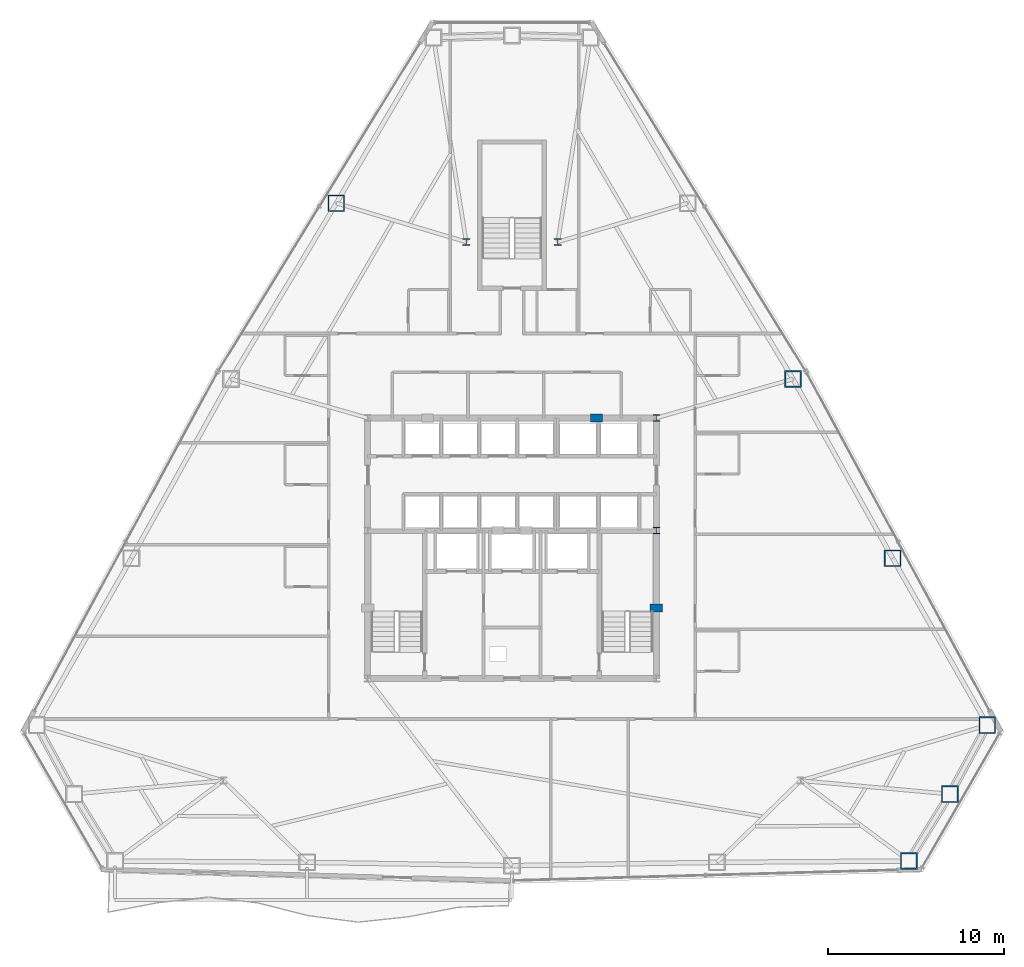
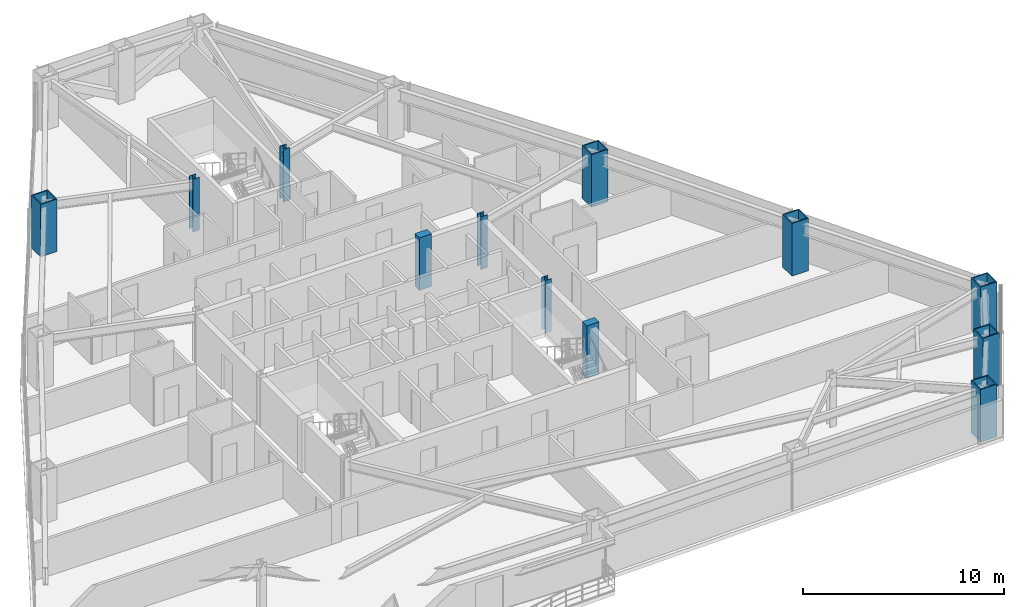
# One storey, part 2 of 13: 12 columns.
"""IFC4 building model written with IfcOpenShell, lengths in metres."""

from ifc_helpers import new_model, si_unit, direction, frame, origin, origin_2d, place, context, subcontext, project, spatial, rectangle, hollow_rectangle, i_section, extrude, material, material_profile, profile_set, type_object, element, save


model = new_model("IFC4")

# Units and contexts
model_context = context("Model", 3, precision=1e-05, world=origin(), true_north=direction((0.0, 1.0)))
body_context = subcontext(model_context, "Body", "Model", "MODEL_VIEW")
ifc_project = project(units=[si_unit("LENGTHUNIT", "METRE"), si_unit("AREAUNIT", "SQUARE_METRE"), si_unit("VOLUMEUNIT", "CUBIC_METRE"), si_unit("PLANEANGLEUNIT", "RADIAN"), si_unit("MASSUNIT", "GRAM", prefix="KILO")], contexts=[model_context])

# Site, building, storey
site_placement = place(None, origin())
site = spatial("IfcSite", under=ifc_project, at=site_placement, CompositionType="ELEMENT")
building_placement = place(site_placement, origin())
building = spatial("IfcBuilding", under=site, at=building_placement, Name="Varakhsha Concourse Tower", CompositionType="ELEMENT")
storey_placement = place(building_placement, frame((0.0, 0.0, 102.199951171875)))
storey = spatial("IfcBuildingStorey", under=building, at=storey_placement, Name="L29", CompositionType="ELEMENT", Elevation=102.199951171875)

# Columns
ifc_material_1 = material(Name="Structural Steel ASTM A992 Grade 50", Category="steel")
ifc_material_profile_1 = material_profile(ifc_material_1, i_section(OverallWidth=0.3740234375, OverallDepth=0.3720703125, WebThickness=0.01611328125, FlangeThickness=0.02587890625, at=origin_2d()), Name="W14X132")
ifc_profile_set_1 = profile_set([ifc_material_profile_1], Name="Structural Steel ASTM A992 Grade 50")
column_type_1 = type_object("IfcColumnType", Name="CL-CORE-W14X132", PredefinedType="COLUMN", material=ifc_profile_set_1)
for number, where, z_axis, x_axis, name in (
    (1, (48.199951171875, 24.800048828125, 0.0), (0.0, 0.0, 1.0), (1.0, 0.0, 0.0), "L29 Core Column CC-ME"),
    (2, (48.199951171875, 31.199951171875, 0.0), (0.0, 0.0, 1.0), (1.0, 0.0, 0.0), "L29 Core Column CC-NE"),
    (3, (37.39990234375, 41.199951171875, 0.0), (0.0, 0.0, 1.0), (1.0, 0.0, 0.0), "L29 Core Column NS-W"),
    (4, (42.60009765625, 41.199951171875, 0.0), (0.0, 0.0, 1.0), (1.0, 0.0, 0.0), "L29 Core Column NS-E"),
):
    element("IfcColumn", number, at=place(storey_placement, frame(where, z_axis=z_axis, x_axis=x_axis)), inside=storey, type_object=column_type_1, Name=name, PredefinedType="COLUMN", context=body_context, shape_type="SweptSolid", body=[
        extrude(i_section(OverallWidth=0.3740234375, OverallDepth=0.3720703125, WebThickness=0.01611328125, FlangeThickness=0.02587890625, at=origin_2d()), origin(), (0.0, 0.0, 1.0), 3.199951171875),
    ])
ifc_material_2 = material(Name="Concrete fc 65 MPa", Category="concrete")
ifc_material_profile_2 = material_profile(ifc_material_2, rectangle(XDim=0.699951171875, YDim=0.449951171875, at=origin_2d()), Name="RC 700x450")
ifc_profile_set_2 = profile_set([ifc_material_profile_2], Name="Concrete fc 65 MPa")
column_type_2 = type_object("IfcColumnType", Name="CL-PIL-700X450", PredefinedType="PILASTER", material=ifc_profile_set_2)
for number, where, z_axis, x_axis, name in (
    (5, (48.199951171875, 20.39990234375, 0.0), (0.0, 0.0, 1.0), (1.0, 0.0, 0.0), "L29 Core Boundary Pilaster PIL-E1"),
    (6, (44.800048828125, 31.199951171875, 0.0), (0.0, 0.0, 1.0), (1.0, 0.0, 0.0), "L29 Core Boundary Pilaster PIL-N2"),
):
    element("IfcColumn", number, at=place(storey_placement, frame(where, z_axis=z_axis, x_axis=x_axis)), inside=storey, type_object=column_type_2, Name=name, PredefinedType="PILASTER", context=body_context, shape_type="SweptSolid", body=[
        extrude(rectangle(XDim=0.699951171875, YDim=0.449951171875, at=origin_2d()), origin(), (0.0, 0.0, 1.0), 3.199951171875),
    ])
ifc_material_3 = material(Name="Structural Steel ASTM A572 Grade 50", Category="steel")
ifc_material_profile_3 = material_profile(ifc_material_3, hollow_rectangle(XDim=0.949951171875, YDim=0.949951171875, WallThickness=0.06494140625, at=origin_2d()), Name="BOX 950x950x65")
ifc_profile_set_3 = profile_set([ifc_material_profile_3], Name="Structural Steel ASTM A572 Grade 50")
column_type_3 = type_object("IfcColumnType", Name="CL-TUBE-950", PredefinedType="COLUMN", material=ifc_profile_set_3)
for number, where, z_axis, x_axis, name in (
    (7, (30.0234375, 43.40380859375, 0.0), (0.0, 0.0, 1.0), (1.0, 0.0, 0.0), "L29 Framed-Tube Column TC04"),
    (8, (62.5458984375, 6.034912109375, 0.0), (0.0, 0.0, 1.0), (1.0, 0.0, 0.0), "L29 Framed-Tube Column TC13"),
    (9, (64.87890625, 9.836181640625, 0.0), (0.0, 0.0, 1.0), (1.0, 0.0, 0.0), "L29 Framed-Tube Column TC14"),
    (10, (67.00439453125, 13.757080078125, 0.0), (0.0, 0.0, 1.0), (1.0, 0.0, 0.0), "L29 Framed-Tube Column TC15"),
    (11, (61.619384765625, 23.238037109375, 0.0), (0.0, 0.0, 1.0), (1.0, 0.0, 0.0), "L29 Framed-Tube Column TC16"),
    (12, (55.961669921875, 33.41552734375, 0.0), (0.0, 0.0, 1.0), (1.0, 0.0, 0.0), "L29 Framed-Tube Column TC17"),
):
    element("IfcColumn", number, at=place(storey_placement, frame(where, z_axis=z_axis, x_axis=x_axis)), inside=storey, type_object=column_type_3, Name=name, PredefinedType="COLUMN", context=body_context, shape_type="SweptSolid", body=[
        extrude(hollow_rectangle(XDim=0.949951171875, YDim=0.949951171875, WallThickness=0.06494140625, at=origin_2d()), origin(), (0.0, 0.0, 1.0), 3.199951171875),
    ])

save(model, "model.ifc")
